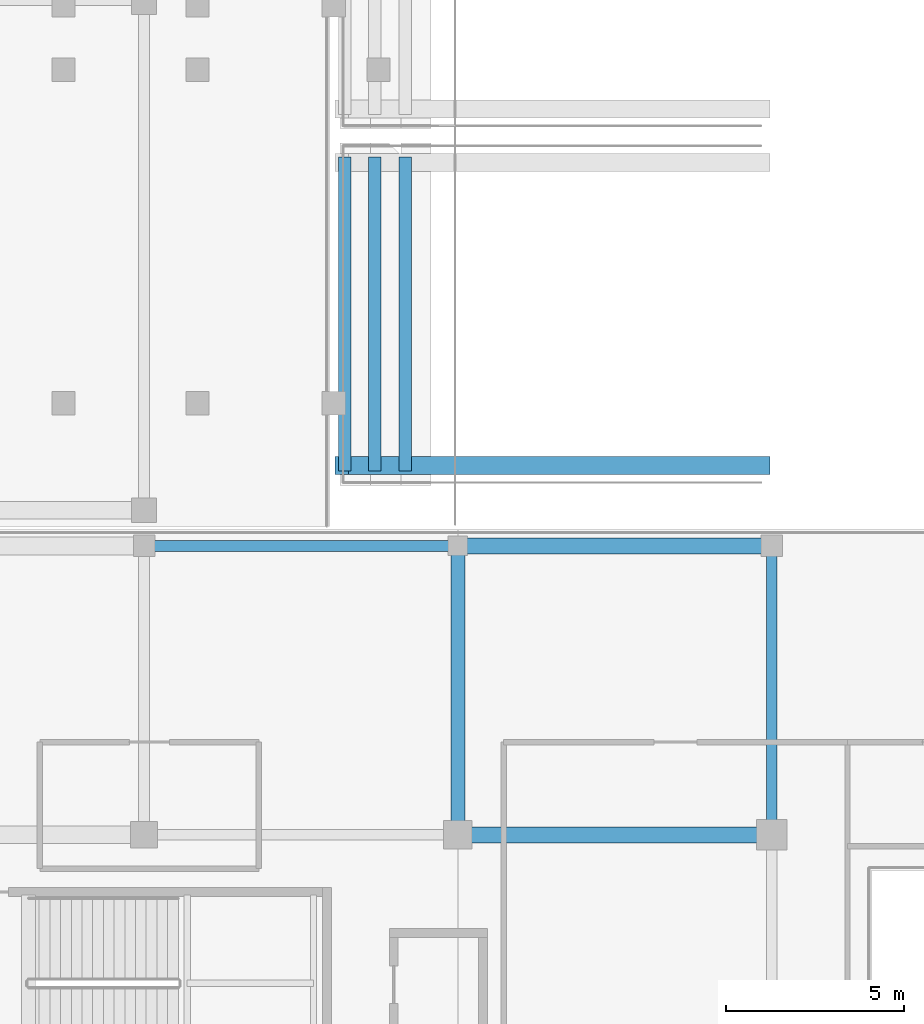
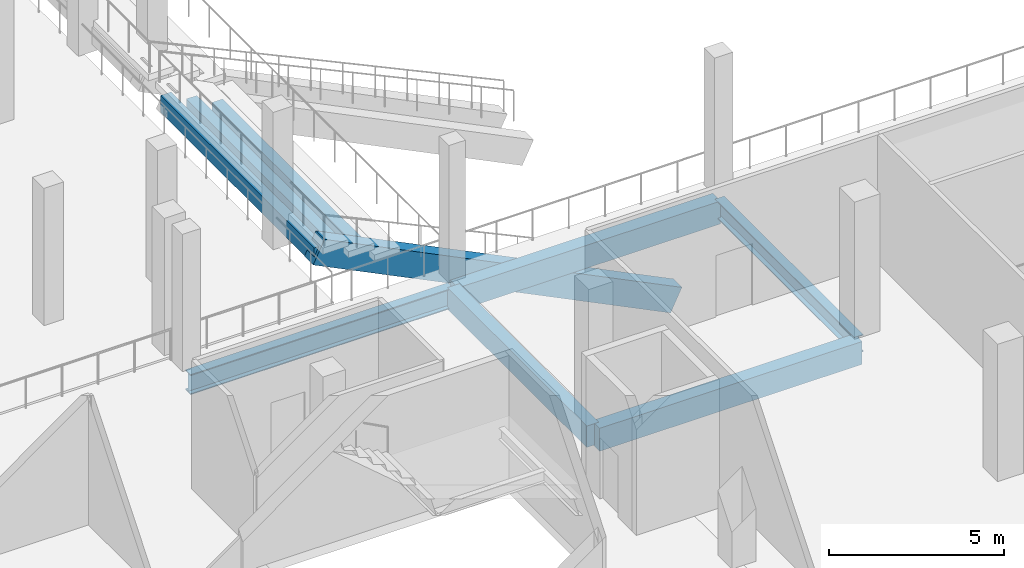
# One storey, part 23 of 129: 9 beams.
"""IFC4 building model written with IfcOpenShell, lengths in metres."""

import ifcopenshell
import ifcopenshell.guid

model = None  # the IFC model being written
_history = None  # IfcOwnerHistory: only IFC2X3 demands one
_inside = {}  # id of a spatial element -> (the spatial element, [elements in it])
_under = {}  # id of a project, library or spatial element -> (it, [spatial elements below it])
_declared = {}  # id of a project -> (the project, [libraries it declares])
_typed = {}  # id of a type object -> (the type object, [elements of that type])
_made_of = {}  # id of a material, layer set ... -> (it, [elements and type objects made of it])


def new_model(schema):
    """Start an empty IFC model of exactly this schema.

    Asked for "IFC4X3", IfcOpenShell would pick the latest addendum, in which some entities
    have other attributes; the version numbers below select the first issue.
    IFC2X3 requires an IfcOwnerHistory on every rooted entity: one is made here for all.
    """
    global model, _history
    if schema == "IFC4X3":
        model = ifcopenshell.file(schema_version=(4, 3, 0, 0))
    else:
        model = ifcopenshell.file(schema=schema)
    _inside.clear()
    _under.clear()
    _declared.clear()
    _typed.clear()
    _made_of.clear()
    _history = None
    if model.schema == "IFC2X3":
        org = make("IfcOrganization", Name="unknown")
        user = make(
            "IfcPersonAndOrganization",
            ThePerson=make("IfcPerson", FamilyName="unknown"),
            TheOrganization=org,
        )
        app = make(
            "IfcApplication",
            ApplicationDeveloper=org,
            Version="unknown",
            ApplicationFullName="unknown",
            ApplicationIdentifier="unknown",
        )
        _history = make(
            "IfcOwnerHistory",
            OwningUser=user,
            OwningApplication=app,
            ChangeAction="ADDED",
            CreationDate=0,
        )
    return model


def make(cls, **values):
    """One entity of the class cls with the attributes given. An attribute that is None is left unset."""
    return model.create_entity(
        cls, **{name: value for name, value in values.items() if value is not None}
    )


def rooted(cls, **values):
    """An entity with a GlobalId (a new one), such as an element, a storey or a relation."""
    return make(cls, GlobalId=ifcopenshell.guid.new(), OwnerHistory=_history, **values)


def si_unit(unit_type, name, prefix=None):
    """IfcSIUnit, for example si_unit("LENGTHUNIT", "METRE", prefix="MILLI")."""
    return make("IfcSIUnit", UnitType=unit_type, Prefix=prefix, Name=name)


def assignment(units):
    """IfcUnitAssignment: the units of a project."""
    return None if units is None else make("IfcUnitAssignment", Units=units)


def point(xyz):
    """IfcCartesianPoint."""
    return None if xyz is None else make("IfcCartesianPoint", Coordinates=xyz)


def direction(xyz):
    """IfcDirection."""
    return None if xyz is None else make("IfcDirection", DirectionRatios=xyz)


def frame(location, z_axis=None, x_axis=None):
    """IfcAxis2Placement3D, a coordinate frame: its origin and axes. An axis left out is left unset."""
    return make(
        "IfcAxis2Placement3D",
        Location=point(location),
        Axis=direction(z_axis),
        RefDirection=direction(x_axis),
    )


def frame_2d(location, x_axis=None):
    """IfcAxis2Placement2D, a coordinate frame in the plane: its origin and x axis."""
    return make(
        "IfcAxis2Placement2D", Location=point(location), RefDirection=direction(x_axis)
    )


def origin():
    """The frame at (0, 0, 0) with its axes left unset."""
    return frame((0.0, 0.0, 0.0))


def origin_2d():
    """The frame at (0, 0) in the plane with its x axis left unset."""
    return frame_2d((0.0, 0.0))


def place(relative_to, where):
    """IfcLocalPlacement: puts the frame where relative to a parent placement (None: the world)."""
    return make(
        "IfcLocalPlacement", PlacementRelTo=relative_to, RelativePlacement=where
    )


def context(
    kind, dimensions, precision=None, world=None, true_north=None, identifier=None
):
    """IfcGeometricRepresentationContext, for example the 3D "Model" context."""
    return make(
        "IfcGeometricRepresentationContext",
        ContextIdentifier=identifier,
        ContextType=kind,
        CoordinateSpaceDimension=dimensions,
        Precision=precision,
        WorldCoordinateSystem=world,
        TrueNorth=true_north,
    )


def subcontext(parent, identifier, kind, view, scale=None):
    """IfcGeometricRepresentationSubContext, for example "Body" below "Model"."""
    return make(
        "IfcGeometricRepresentationSubContext",
        ContextIdentifier=identifier,
        ContextType=kind,
        ParentContext=parent,
        TargetScale=scale,
        TargetView=view,
    )


def project(units=None, contexts=None):
    """IfcProject with its units and contexts."""
    return rooted(
        "IfcProject",
        Name="project",
        RepresentationContexts=contexts,
        UnitsInContext=assignment(units),
    )


def spatial(cls, under=None, at=None, **own):
    """A site, building, storey or space (cls), placed at a placement, below another one or the project."""
    s = rooted(cls, ObjectPlacement=at, **own)
    if under is not None:
        _under.setdefault(under.id(), (under, []))[1].append(s)
    return s


def profile(cls, at=None, kind="AREA", **sizes):
    """A parametric profile (cls). Its sizes go by their IFC names, for example OverallWidth=200.0."""
    return make(cls, ProfileType=kind, Position=at, **sizes)


def rectangle(**sizes):
    """IfcRectangleProfileDef."""
    return profile("IfcRectangleProfileDef", **sizes)


def i_section(**sizes):
    """IfcIShapeProfileDef."""
    return profile("IfcIShapeProfileDef", **sizes)


def extrude(swept, where, along, depth):
    """IfcExtrudedAreaSolid: the profile swept, set in the frame where, extruded along a direction by depth."""
    return make(
        "IfcExtrudedAreaSolid",
        SweptArea=swept,
        Position=where,
        ExtrudedDirection=direction(along),
        Depth=depth,
    )


def shape(context_of_items, identifier, shape_type, items):
    """IfcShapeRepresentation: the items that make up one representation, for example the "Body"."""
    return make(
        "IfcShapeRepresentation",
        ContextOfItems=context_of_items,
        RepresentationIdentifier=identifier,
        RepresentationType=shape_type,
        Items=items,
    )


def material(Name=None, Category=None):
    """IfcMaterial."""
    return make("IfcMaterial", Name=Name, Category=Category)


def material_profile(
    of_material, cross_section, Name=None, Category=None, Priority=None
):
    """IfcMaterialProfile: a cross section and its material."""
    return make(
        "IfcMaterialProfile",
        Name=Name,
        Material=of_material,
        Profile=cross_section,
        Priority=Priority,
        Category=Category,
    )


def profile_set(profiles, Name=None, composite=None):
    """IfcMaterialProfileSet."""
    return make(
        "IfcMaterialProfileSet",
        Name=Name,
        MaterialProfiles=profiles,
        CompositeProfile=composite,
    )


def made_of(thing, what):
    """Note that an element or type object is made of a material, layer set ...; save() writes the relation."""
    if what is not None:
        _made_of.setdefault(what.id(), (what, []))[1].append(thing)
    return thing


def type_object(cls, material=None, **own):
    """A type object (cls), such as IfcWallType, which elements share."""
    return made_of(rooted(cls, **own), material)


def element(
    cls,
    number,
    at=None,
    inside=None,
    cuts=None,
    type_object=None,
    material=None,
    context=None,
    identifier="Body",
    shape_type=None,
    held_by="IfcProductDefinitionShape",
    body=None,
    shapes=None,
    **own,
):
    """One element of the class cls, such as IfcWall. Its Tag is "e" and its number.

    at: its placement. inside: the storey or other place that contains it. cuts: it is an
    opening in that element (IfcRelVoidsElement). A single representation is given by context,
    identifier, shape_type and body (its items); several are given by shapes. held_by: the class
    of the entity that holds the representations. save() writes the other relations.
    """
    e = rooted(cls, Tag="e%d" % number, ObjectPlacement=at, **own)
    if body is not None:
        shapes = [shape(context, identifier, shape_type, body)]
    if shapes is not None:
        e.Representation = make(held_by, Representations=shapes)
    if inside is not None:
        _inside.setdefault(inside.id(), (inside, []))[1].append(e)
    if cuts is not None:
        rooted(
            "IfcRelVoidsElement", RelatingBuildingElement=cuts, RelatedOpeningElement=e
        )
    if type_object is not None:
        _typed.setdefault(type_object.id(), (type_object, []))[1].append(e)
    return made_of(e, material)


def aggregate(whole, parts):
    """IfcRelAggregates: a whole, such as a stair, and the parts it consists of."""
    return rooted("IfcRelAggregates", RelatingObject=whole, RelatedObjects=parts)


def save(model, path):
    """Write the relations noted so far, then the file.

    IfcRelAggregates (storeys below a building ...), IfcRelContainedInSpatialStructure (elements
    in a storey), IfcRelDefinesByType, IfcRelAssociatesMaterial and IfcRelDeclares: one each for
    every whole, place, type object, material and project.
    """
    for whole, parts in _under.values():
        aggregate(whole, parts)
    for where, things in _inside.values():
        rooted(
            "IfcRelContainedInSpatialStructure",
            RelatedElements=things,
            RelatingStructure=where,
        )
    for kind, things in _typed.values():
        rooted("IfcRelDefinesByType", RelatedObjects=things, RelatingType=kind)
    for what, things in _made_of.values():
        rooted("IfcRelAssociatesMaterial", RelatedObjects=things, RelatingMaterial=what)
    for by, libraries in _declared.values():
        rooted("IfcRelDeclares", RelatingContext=by, RelatedDefinitions=libraries)
    model.write(path)


model = new_model("IFC4")

# Units and contexts
model_context = context("Model", 3, precision=1e-05, world=origin(), true_north=direction((0.0, 1.0)))
body_context = subcontext(model_context, "Body", "Model", "MODEL_VIEW")
ifc_project = project(units=[si_unit("LENGTHUNIT", "METRE"), si_unit("AREAUNIT", "SQUARE_METRE"), si_unit("VOLUMEUNIT", "CUBIC_METRE"), si_unit("PLANEANGLEUNIT", "RADIAN"), si_unit("MASSUNIT", "GRAM", prefix="KILO")], contexts=[model_context])

# Site, building, storey
site_placement = place(None, origin())
site = spatial("IfcSite", under=ifc_project, at=site_placement, CompositionType="ELEMENT")
building_placement = place(site_placement, origin())
building = spatial("IfcBuilding", under=site, at=building_placement, Name="Koshinbarg Plaza Stadium", CompositionType="ELEMENT")
storey_placement = place(building_placement, frame((0.0, 0.0, 5.39990234375)))
storey = spatial("IfcBuildingStorey", under=building, at=storey_placement, Name="L01", CompositionType="ELEMENT", Elevation=5.39990234375)

# Beams
ifc_material_1 = material(Name="Concrete C40/50", Category="concrete")
ifc_material_profile_1 = material_profile(ifc_material_1, rectangle(XDim=0.5, YDim=0.85009765625, at=origin_2d()), Name="RC 500x850")
ifc_profile_set_1 = profile_set([ifc_material_profile_1], Name="Concrete C40/50")
beam_type_1 = type_object("IfcBeamType", Name="BM-RAKER-LT", PredefinedType="USERDEFINED", material=ifc_profile_set_1)
beam_1_placement = place(storey_placement, frame((80.9599609375, 26.75, -5.073974609375), z_axis=(-0.897237323905, 0.0, 0.441548620869), x_axis=(0.0, -1.0, 0.0)))
element("IfcBeam", 1, at=beam_1_placement, inside=storey, type_object=beam_type_1, Name="Lower bowl raker girder RAKER LT-W01-L", ObjectType="GIRDER", PredefinedType="USERDEFINED", context=body_context, shape_type="SweptSolid", body=[
    extrude(rectangle(XDim=0.5, YDim=0.85009765625, at=origin_2d()), origin(), (0.0, 0.0, 1.0), 13.173828125),
])
ifc_material_profile_2 = material_profile(ifc_material_1, rectangle(XDim=0.35009765625, YDim=0.60009765625, at=origin_2d()), Name="RC 350x600")
ifc_profile_set_2 = profile_set([ifc_material_profile_2], Name="Concrete C40/50")
beam_type_2 = type_object("IfcBeamType", Name="BM-RCG-01", PredefinedType="SPANDREL", material=ifc_profile_set_2)
for number, where, z_axis, x_axis, name in (
    (2, (70.919921875, 26.60009765625, -0.27978515625), (0.0, 1.0, 0.0), (-1.0, 0.0, 0.0), "Lower tier seat bearer LT-W01-R12"),
    (3, (70.070068359375, 26.60009765625, 0.14013671875), (0.0, 1.0, 0.0), (-1.0, 0.0, 0.0), "Lower tier seat bearer LT-W01-R13"),
    (4, (69.219970703125, 26.60009765625, 0.56005859375), (0.0, 1.0, 0.0), (-1.0, 0.0, 0.0), "Lower tier seat bearer LT-W01-R14"),
):
    element("IfcBeam", number, at=place(storey_placement, frame(where, z_axis=z_axis, x_axis=x_axis)), inside=storey, type_object=beam_type_2, Name=name, PredefinedType="SPANDREL", context=body_context, shape_type="SweptSolid", body=[
        extrude(rectangle(XDim=0.35009765625, YDim=0.60009765625, at=origin_2d()), origin(), (0.0, 0.0, 1.0), 8.7998046875),
    ])
ifc_material_profile_3 = material_profile(ifc_material_1, rectangle(XDim=0.39990234375, YDim=0.75, at=origin_2d()), Name="RC 400x750")
ifc_profile_set_3 = profile_set([ifc_material_profile_3], Name="Concrete C40/50")
beam_type_3 = type_object("IfcBeamType", Name="BM-RCG-03", PredefinedType="USERDEFINED", material=ifc_profile_set_3)
beam_2_placement = place(storey_placement, frame((72.39990234375, 16.4599609375, -0.69482421875), z_axis=(0.0, 1.0, 0.0), x_axis=(-1.0, 0.0, 0.0)))
element("IfcBeam", 5, at=beam_2_placement, inside=storey, type_object=beam_type_3, Name="L01 Y girder 10/C-D", ObjectType="GIRDER", PredefinedType="USERDEFINED", context=body_context, shape_type="SweptSolid", body=[
    extrude(rectangle(XDim=0.39990234375, YDim=0.75, at=origin_2d()), origin(), (0.0, 0.0, 1.0), 7.97998046875),
])
ifc_material_profile_4 = material_profile(ifc_material_1, rectangle(XDim=0.449951171875, YDim=0.800048828125, at=origin_2d()), Name="RC 450x800")
ifc_profile_set_4 = profile_set([ifc_material_profile_4], Name="Concrete C40/50")
beam_type_4 = type_object("IfcBeamType", Name="BM-RCG-04", PredefinedType="USERDEFINED", material=ifc_profile_set_4)
for number, where, z_axis, x_axis, name in (
    (6, (72.4599609375, 16.39990234375, -0.719970703125), (1.0, 0.0, 0.0), (0.0, 1.0, 0.0), "L01 X girder C/10-11"),
    (7, (72.4599609375, 24.5, -0.719970703125), (1.0, 0.0, 0.0), (0.0, 1.0, 0.0), "L01 X girder D/10-11"),
):
    element("IfcBeam", number, at=place(storey_placement, frame(where, z_axis=z_axis, x_axis=x_axis)), inside=storey, type_object=beam_type_4, Name=name, ObjectType="GIRDER", PredefinedType="USERDEFINED", context=body_context, shape_type="SweptSolid", body=[
        extrude(rectangle(XDim=0.449951171875, YDim=0.800048828125, at=origin_2d()), origin(), (0.0, 0.0, 1.0), 8.679931640625),
    ])
ifc_material_2 = material(Name="Steel S355", Category="steel")
ifc_material_profile_5 = material_profile(ifc_material_2, i_section(OverallWidth=0.300048828125, OverallDepth=0.60009765625, WebThickness=0.015380859375, FlangeThickness=0.030029296875, at=origin_2d()), Name="HEB 600")
ifc_profile_set_5 = profile_set([ifc_material_profile_5], Name="Steel S355")
beam_type_5 = type_object("IfcBeamType", Name="BM-SGIR-02", PredefinedType="USERDEFINED", material=ifc_profile_set_5)
beam_3_placement = place(storey_placement, frame((81.199951171875, 16.4599609375, -0.619873046875), z_axis=(0.0, 1.0, 0.0), x_axis=(-1.0, 0.0, 0.0)))
element("IfcBeam", 8, at=beam_3_placement, inside=storey, type_object=beam_type_5, Name="L01 Y girder 11/C-D", ObjectType="GIRDER", PredefinedType="USERDEFINED", context=body_context, shape_type="SweptSolid", body=[
    extrude(i_section(OverallWidth=0.300048828125, OverallDepth=0.60009765625, WebThickness=0.015380859375, FlangeThickness=0.030029296875, at=origin_2d()), origin(), (0.0, 0.0, 1.0), 7.97998046875),
])
ifc_material_profile_6 = material_profile(ifc_material_2, i_section(OverallWidth=0.300048828125, OverallDepth=0.699951171875, WebThickness=0.01708984375, FlangeThickness=0.031982421875, at=origin_2d()), Name="HEB 700")
ifc_profile_set_6 = profile_set([ifc_material_profile_6], Name="Steel S355")
beam_type_6 = type_object("IfcBeamType", Name="BM-SGIR-03", PredefinedType="USERDEFINED", material=ifc_profile_set_6)
beam_4_placement = place(storey_placement, frame((63.659912109375, 24.5, -0.669921875), z_axis=(1.0, 0.0, 0.0), x_axis=(0.0, 1.0, 0.0)))
element("IfcBeam", 9, at=beam_4_placement, inside=storey, type_object=beam_type_6, Name="L01 X girder D/9-10", ObjectType="GIRDER", PredefinedType="USERDEFINED", context=body_context, shape_type="SweptSolid", body=[
    extrude(i_section(OverallWidth=0.300048828125, OverallDepth=0.699951171875, WebThickness=0.01708984375, FlangeThickness=0.031982421875, at=origin_2d()), origin(), (0.0, 0.0, 1.0), 8.68017578125),
])

save(model, "model.ifc")
